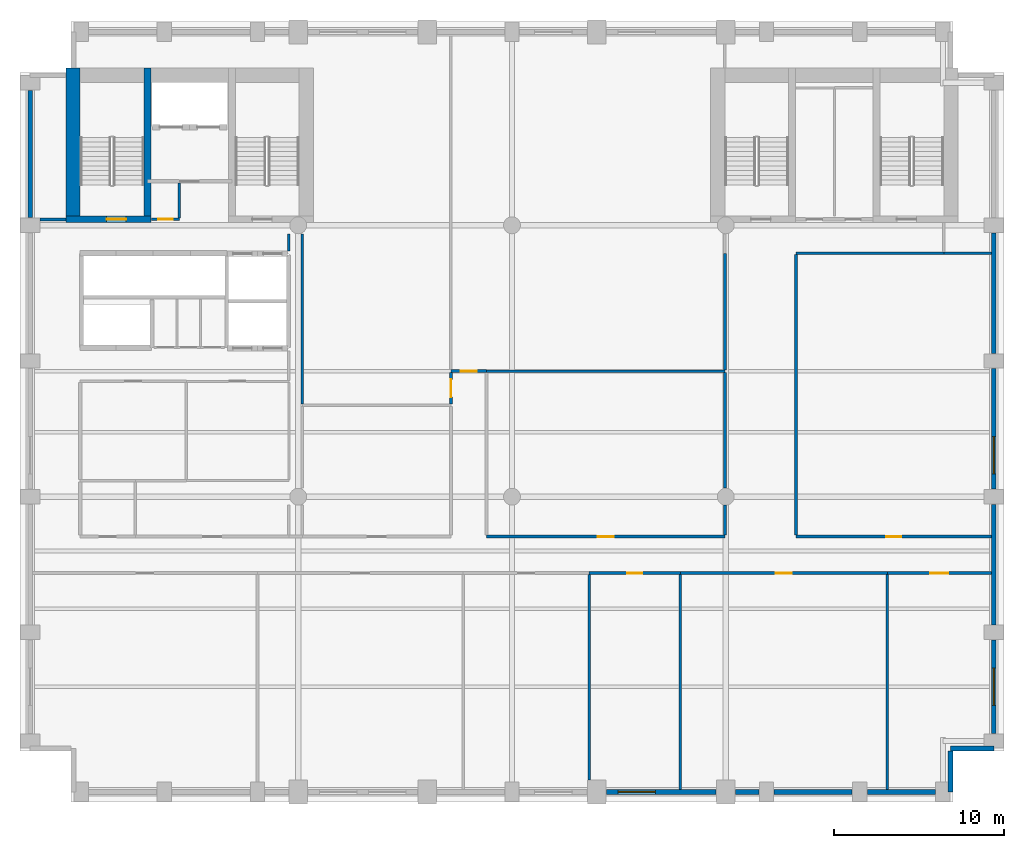
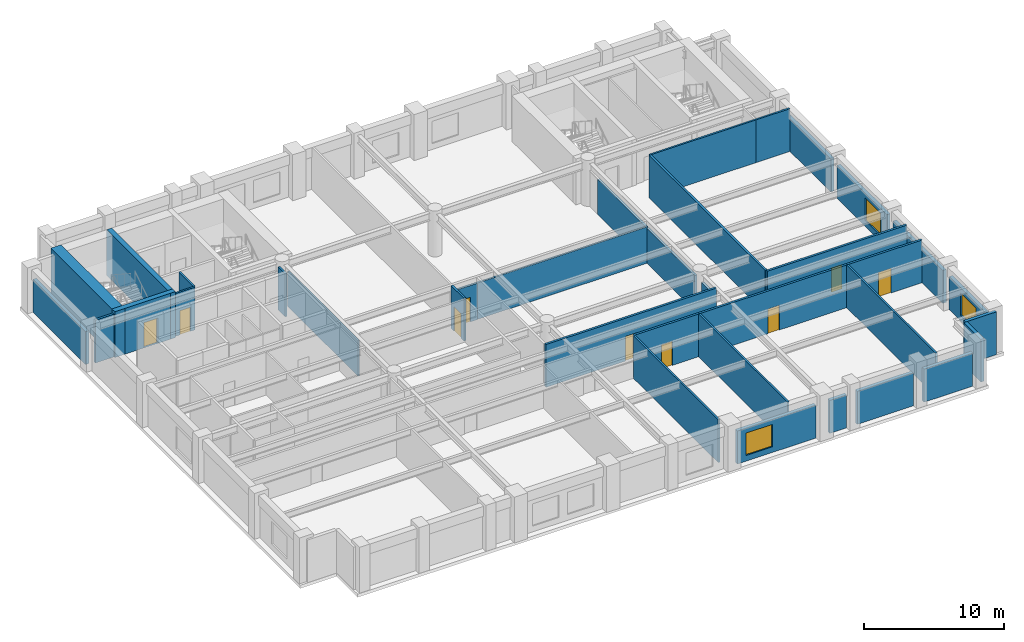
# One storey, part 4 of 8: 36 walls, 9 doors, 3 windows, 12 openings.
"""IFC4 building model written with IfcOpenShell, lengths in metres."""

from ifc_helpers import new_model, si_unit, direction, frame, frame_2d, origin, place, context, subcontext, project, spatial, rectangle, extrude, material, layer, layer_set, type_object, element, fill, save


model = new_model("IFC4")

# Units and contexts
model_context = context("Model", 3, precision=1e-05, world=origin(), true_north=direction((0.0, 1.0)))
body_context = subcontext(model_context, "Body", "Model", "MODEL_VIEW")
ifc_project = project(units=[si_unit("LENGTHUNIT", "METRE"), si_unit("AREAUNIT", "SQUARE_METRE"), si_unit("VOLUMEUNIT", "CUBIC_METRE"), si_unit("PLANEANGLEUNIT", "RADIAN"), si_unit("MASSUNIT", "GRAM", prefix="KILO")], contexts=[model_context])

# Site, building, storey
site_placement = place(None, origin())
site = spatial("IfcSite", under=ifc_project, at=site_placement, CompositionType="ELEMENT")
building_placement = place(site_placement, origin())
building = spatial("IfcBuilding", under=site, at=building_placement, Name="Sulina Concourse Tower", CompositionType="ELEMENT")
storey_placement = place(building_placement, frame((0.0, 0.0, 116.60009765625)))
storey = spatial("IfcBuildingStorey", under=building, at=storey_placement, Name="L28", CompositionType="ELEMENT", Elevation=116.60009765625)

# Walls
ifc_material_1 = material(Name="Gypsum board on steel stud", Category="steel")
ifc_layer_1 = layer(ifc_material_1, 0.14990234375)
ifc_layer_set_1 = layer_set([ifc_layer_1], Name="Gypsum board on steel stud")
wall_type_1 = type_object("IfcWallType", Name="Inter-Tenancy Acoustic Partition 150mm", PredefinedType="PARTITIONING", material=ifc_layer_set_1)
wall_1_placement = place(storey_placement, frame((27.5, 25.39990234375, 0.0), z_axis=(0.0, 0.0, 1.0), x_axis=(1.0, 0.0, 0.0)))
element("IfcWall", 1, at=wall_1_placement, inside=storey, type_object=wall_type_1, Name="L28 interior partition 020", PredefinedType="PARTITIONING", context=body_context, shape_type="SweptSolid", body=[
    extrude(rectangle(XDim=14.050048828125, YDim=0.14990234375, at=frame_2d((7.02490234375, 0.0))), origin(), (0.0, 0.0, 1.0), 3.169921875),
])
wall_2_placement = place(storey_placement, frame((45.75, 32.35009765625, 0.0), z_axis=(0.0, 0.0, 1.0), x_axis=(1.0, 0.0, 0.0)))
element("IfcWall", 2, at=wall_2_placement, inside=storey, type_object=wall_type_1, Name="L28 interior partition 024", PredefinedType="PARTITIONING", context=body_context, shape_type="SweptSolid", body=[
    extrude(rectangle(XDim=8.699951171875, YDim=0.14990234375, at=frame_2d((4.35009765625, 0.0))), origin(), (0.0, 0.0, 1.0), 3.724853515625),
])
wall_3_placement = place(storey_placement, frame((54.449951171875, 32.35009765625, 0.0), z_axis=(0.0, 0.0, 1.0), x_axis=(1.0, 0.0, 0.0)))
element("IfcWall", 3, at=wall_3_placement, inside=storey, type_object=wall_type_1, Name="L28 interior partition 025", PredefinedType="PARTITIONING", context=body_context, shape_type="SweptSolid", body=[
    extrude(rectangle(XDim=2.81005859375, YDim=0.14990234375, at=frame_2d((1.405029296875, 0.0))), origin(), (0.0, 0.0, 1.0), 3.724853515625),
])

# Wall, opening, door
wall_4_placement = place(storey_placement, frame((7.75, 34.35009765625, 0.0), z_axis=(0.0, 0.0, 1.0), x_axis=(1.0, 0.0, 0.0)))
wall_4 = element("IfcWall", 4, at=wall_4_placement, inside=storey, type_object=wall_type_1, Name="L28 interior partition 027", PredefinedType="PARTITIONING", context=body_context, shape_type="SweptSolid", body=[
    extrude(rectangle(XDim=1.64990234375, YDim=0.14990234375, at=frame_2d((0.824951171875, 0.0))), origin(), (0.0, 0.0, 1.0), 3.724853515625),
])
opening_1_placement = place(wall_4_placement, frame((0.385009765625, 0.0, 0.0)))
opening_1 = element("IfcOpeningElement", 5, at=opening_1_placement, cuts=wall_4, Name="Opening DR-38", PredefinedType="OPENING", context=body_context, shape_type="SweptSolid", body=[
    extrude(rectangle(XDim=0.8798828125, YDim=2.10009765625, at=frame_2d((0.43994140625, 1.050048828125))), frame((0.0, 0.0849609375, 0.0), z_axis=(0.0, -1.0, 0.0), x_axis=(1.0, 0.0, 0.0)), (0.0, 0.0, 1.0), 0.169921875),
])
ifc_material_2 = material(Name="Galvanised steel acoustic fire leaf", Category="steel")
ifc_layer_2 = layer(ifc_material_2, 0.050048828125)
ifc_layer_set_2 = layer_set([ifc_layer_2], Name="Galvanised steel acoustic fire leaf")
door_type_1 = type_object("IfcDoorType", Name="Service Riser Fire Door 880x2100", OperationType="NOTDEFINED", PredefinedType="DOOR", material=ifc_layer_set_2)
door_1_placement = place(opening_1_placement, origin())
door_1 = element("IfcDoor", 6, at=door_1_placement, inside=storey, type_object=door_type_1, Name="L28 interior door L28-CLN-N", OperationType="SINGLE_SWING_LEFT", OverallHeight=2.10009765625, OverallWidth=0.8798828125, PredefinedType="DOOR", context=body_context, shape_type="SweptSolid", body=[
    extrude(rectangle(XDim=0.8798828125, YDim=2.10009765625, at=frame_2d((0.43994140625, 1.050048828125))), frame((0.0, 0.02490234375, 0.0), z_axis=(0.0, -1.0, 0.0), x_axis=(1.0, 0.0, 0.0)), (0.0, 0.0, 1.0), 0.050048828125),
])
fill(opening_1, door_1)

# Walls
wall_5_placement = place(storey_placement, frame((9.39990234375, 34.425048828125, 0.0), z_axis=(0.0, 0.0, 1.0), x_axis=(0.0, 1.0, 0.0)))
element("IfcWall", 7, at=wall_5_placement, inside=storey, type_object=wall_type_1, Name="L28 interior partition 034", PredefinedType="PARTITIONING", context=body_context, shape_type="SweptSolid", body=[
    extrude(rectangle(XDim=2.06494140625, YDim=0.14990234375, at=frame_2d((1.032470703125, 0.0))), origin(), (0.0, 0.0, 1.0), 3.724853515625),
])
wall_6_placement = place(storey_placement, frame((15.85009765625, 32.469970703125, 0.0), z_axis=(0.0, 0.0, 1.0), x_axis=(0.0, 1.0, 0.0)))
element("IfcWall", 8, at=wall_6_placement, inside=storey, type_object=wall_type_1, Name="L28 interior partition 041", PredefinedType="PARTITIONING", context=body_context, shape_type="SweptSolid", body=[
    extrude(rectangle(XDim=1.030029296875, YDim=0.14990234375, at=frame_2d((0.51513671875, 0.0))), origin(), (0.0, 0.0, 1.0), 3.724853515625),
])
wall_7_placement = place(storey_placement, frame((16.64990234375, 23.47509765625, 0.0), z_axis=(0.0, 0.0, 1.0), x_axis=(0.0, 1.0, 0.0)))
element("IfcWall", 9, at=wall_7_placement, inside=storey, type_object=wall_type_1, Name="L28 interior partition 044", PredefinedType="PARTITIONING", context=body_context, shape_type="SweptSolid", body=[
    extrude(rectangle(XDim=10.02490234375, YDim=0.14990234375, at=frame_2d((5.012451171875, 0.0))), origin(), (0.0, 0.0, 1.0), 3.06982421875),
])
wall_8_placement = place(storey_placement, frame((33.5400390625, 1.300048828125, 0.0), z_axis=(0.0, 0.0, 1.0), x_axis=(0.0, 1.0, 0.0)))
element("IfcWall", 10, at=wall_8_placement, inside=storey, type_object=wall_type_1, Name="L28 interior partition 050", PredefinedType="PARTITIONING", context=body_context, shape_type="SweptSolid", body=[
    extrude(rectangle(XDim=12.10986328125, YDim=0.14990234375, at=frame_2d((6.054931640625, 0.0))), origin(), (0.0, 0.0, 1.0), 3.724853515625),
])
for number, where, z_axis, x_axis, name in (
    (11, (38.919921875, 0.739990234375, 0.0), (0.0, 0.0, 1.0), (0.0, 1.0, 0.0), "L28 interior partition 051"),
    (12, (51.1201171875, 0.739990234375, 0.0), (0.0, 0.0, 1.0), (0.0, 1.0, 0.0), "L28 interior partition 059"),
):
    element("IfcWall", number, at=place(storey_placement, frame(where, z_axis=z_axis, x_axis=x_axis)), inside=storey, type_object=wall_type_1, Name=name, PredefinedType="PARTITIONING", context=body_context, shape_type="SweptSolid", body=[
        extrude(rectangle(XDim=12.669921875, YDim=0.14990234375, at=frame_2d((6.3349609375, 0.0))), origin(), (0.0, 0.0, 1.0), 3.724853515625),
    ])

# Wall, opening, door
ifc_material_3 = material(Name="Gypsum board on steel stud", Category="steel")
ifc_layer_3 = layer(ifc_material_3, 0.179931640625)
ifc_layer_set_3 = layer_set([ifc_layer_3], Name="Gypsum board on steel stud")
wall_type_2 = type_object("IfcWallType", Name="Protected Corridor & Riser Partition 180mm", PredefinedType="PARTITIONING", material=ifc_layer_set_3)
wall_9_placement = place(storey_placement, frame((33.5400390625, 13.5, 0.0), z_axis=(0.0, 0.0, 1.0), x_axis=(1.0, 0.0, 0.0)))
wall_9 = element("IfcWall", 13, at=wall_9_placement, inside=storey, type_object=wall_type_2, Name="L28 interior partition 004", PredefinedType="PARTITIONING", context=body_context, shape_type="SweptSolid", body=[
    extrude(rectangle(XDim=5.3798828125, YDim=0.179931640625, at=frame_2d((2.68994140625, 0.0))), origin(), (0.0, 0.0, 1.0), 3.724853515625),
])
opening_2_placement = place(wall_9_placement, frame((2.25, 0.0, 0.0)))
opening_2 = element("IfcOpeningElement", 14, at=opening_2_placement, cuts=wall_9, Name="Opening DR-38", PredefinedType="OPENING", context=body_context, shape_type="SweptSolid", body=[
    extrude(rectangle(XDim=0.8798828125, YDim=2.10009765625, at=frame_2d((0.43994140625, 1.050048828125))), frame((0.0, 0.099853515625, 0.0), z_axis=(0.0, -1.0, 0.0), x_axis=(1.0, 0.0, 0.0)), (0.0, 0.0, 1.0), 0.199951171875),
])
door_2_placement = place(opening_2_placement, origin())
door_2 = element("IfcDoor", 15, at=door_2_placement, inside=storey, type_object=door_type_1, Name="L28 interior door L28-S03B", OperationType="SINGLE_SWING_LEFT", OverallHeight=2.10009765625, OverallWidth=0.8798828125, PredefinedType="DOOR", context=body_context, shape_type="SweptSolid", body=[
    extrude(rectangle(XDim=0.8798828125, YDim=2.10009765625, at=frame_2d((0.43994140625, 1.050048828125))), frame((0.0, 0.02490234375, 0.0), z_axis=(0.0, -1.0, 0.0), x_axis=(1.0, 0.0, 0.0)), (0.0, 0.0, 1.0), 0.050048828125),
])
fill(opening_2, door_2)

wall_10_placement = place(storey_placement, frame((38.919921875, 13.5, 0.0), z_axis=(0.0, 0.0, 1.0), x_axis=(1.0, 0.0, 0.0)))
wall_10 = element("IfcWall", 16, at=wall_10_placement, inside=storey, type_object=wall_type_2, Name="L28 interior partition 005", PredefinedType="PARTITIONING", context=body_context, shape_type="SweptSolid", body=[
    extrude(rectangle(XDim=12.2001953125, YDim=0.179931640625, at=frame_2d((6.10009765625, 0.0))), origin(), (0.0, 0.0, 1.0), 3.724853515625),
])
opening_3_placement = place(wall_10_placement, frame((5.625, 0.0, 0.0)))
opening_3 = element("IfcOpeningElement", 17, at=opening_3_placement, cuts=wall_10, Name="Opening DR-19", PredefinedType="OPENING", context=body_context, shape_type="SweptSolid", body=[
    extrude(rectangle(XDim=0.949951171875, YDim=2.14990234375, at=frame_2d((0.47509765625, 1.074951171875))), frame((0.0, 0.099853515625, 0.0), z_axis=(0.0, -1.0, 0.0), x_axis=(1.0, 0.0, 0.0)), (0.0, 0.0, 1.0), 0.199951171875),
])
ifc_material_4 = material(Name="Oak-veneered acoustic timber leaf", Category="wood")
ifc_layer_4 = layer(ifc_material_4, 0.050048828125)
ifc_layer_set_4 = layer_set([ifc_layer_4], Name="Oak-veneered acoustic timber leaf")
door_type_2 = type_object("IfcDoorType", Name="Cellular Office & Meeting Door 950x2150", OperationType="NOTDEFINED", PredefinedType="DOOR", material=ifc_layer_set_4)
door_3_placement = place(opening_3_placement, origin())
door_3 = element("IfcDoor", 18, at=door_3_placement, inside=storey, type_object=door_type_2, Name="L28 interior door L28-S04", OperationType="SINGLE_SWING_RIGHT", OverallHeight=2.14990234375, OverallWidth=0.949951171875, PredefinedType="DOOR", context=body_context, shape_type="SweptSolid", body=[
    extrude(rectangle(XDim=0.949951171875, YDim=2.14990234375, at=frame_2d((0.47509765625, 1.074951171875))), frame((0.0, 0.02490234375, 0.0), z_axis=(0.0, -1.0, 0.0), x_axis=(1.0, 0.0, 0.0)), (0.0, 0.0, 1.0), 0.050048828125),
])
fill(opening_3, door_3)

wall_11_placement = place(storey_placement, frame((51.1201171875, 13.5, 0.0), z_axis=(0.0, 0.0, 1.0), x_axis=(1.0, 0.0, 0.0)))
wall_11 = element("IfcWall", 19, at=wall_11_placement, inside=storey, type_object=wall_type_2, Name="L28 interior partition 006", PredefinedType="PARTITIONING", context=body_context, shape_type="SweptSolid", body=[
    extrude(rectangle(XDim=6.139892578125, YDim=0.179931640625, at=frame_2d((3.06982421875, 0.0))), origin(), (0.0, 0.0, 1.0), 3.724853515625),
])
opening_4_placement = place(wall_11_placement, frame((2.544921875, 0.0, 0.0)))
opening_4 = element("IfcOpeningElement", 20, at=opening_4_placement, cuts=wall_11, Name="Opening DR-37", PredefinedType="OPENING", context=body_context, shape_type="SweptSolid", body=[
    extrude(rectangle(XDim=1.050048828125, YDim=2.14990234375, at=frame_2d((0.52490234375, 1.074951171875))), frame((0.0, 0.099853515625, 0.0), z_axis=(0.0, -1.0, 0.0), x_axis=(1.0, 0.0, 0.0)), (0.0, 0.0, 1.0), 0.199951171875),
])
ifc_material_5 = material(Name="Oak-veneered fire door leaf")
ifc_layer_5 = layer(ifc_material_5, 0.050048828125)
ifc_layer_set_5 = layer_set([ifc_layer_5], Name="Oak-veneered fire door leaf")
door_type_3 = type_object("IfcDoorType", Name="Tenant Suite Entrance Fire Door 1050x2150", OperationType="NOTDEFINED", PredefinedType="DOOR", material=ifc_layer_set_5)
door_4_placement = place(opening_4_placement, origin())
door_4 = element("IfcDoor", 21, at=door_4_placement, inside=storey, type_object=door_type_3, Name="L28 interior door L28-S05", OperationType="SINGLE_SWING_LEFT", OverallHeight=2.14990234375, OverallWidth=1.050048828125, PredefinedType="DOOR", context=body_context, shape_type="SweptSolid", body=[
    extrude(rectangle(XDim=1.050048828125, YDim=2.14990234375, at=frame_2d((0.52490234375, 1.074951171875))), frame((0.0, 0.02490234375, 0.0), z_axis=(0.0, -1.0, 0.0), x_axis=(1.0, 0.0, 0.0)), (0.0, 0.0, 1.0), 0.050048828125),
])
fill(opening_4, door_4)

wall_12_placement = place(storey_placement, frame((27.5, 15.64990234375, 0.0), z_axis=(0.0, 0.0, 1.0), x_axis=(1.0, 0.0, 0.0)))
wall_12 = element("IfcWall", 22, at=wall_12_placement, inside=storey, type_object=wall_type_2, Name="L28 interior partition 011", PredefinedType="PARTITIONING", context=body_context, shape_type="SweptSolid", body=[
    extrude(rectangle(XDim=14.050048828125, YDim=0.179931640625, at=frame_2d((7.02490234375, 0.0))), origin(), (0.0, 0.0, 1.0), 3.724853515625),
])
opening_5_placement = place(wall_12_placement, frame((6.550048828125, 0.0, 0.0)))
opening_5 = element("IfcOpeningElement", 23, at=opening_5_placement, cuts=wall_12, Name="Opening DR-19", PredefinedType="OPENING", context=body_context, shape_type="SweptSolid", body=[
    extrude(rectangle(XDim=0.949951171875, YDim=2.14990234375, at=frame_2d((0.47509765625, 1.074951171875))), frame((0.0, 0.099853515625, 0.0), z_axis=(0.0, -1.0, 0.0), x_axis=(1.0, 0.0, 0.0)), (0.0, 0.0, 1.0), 0.199951171875),
])
door_5_placement = place(opening_5_placement, origin())
door_5 = element("IfcDoor", 24, at=door_5_placement, inside=storey, type_object=door_type_2, Name="L28 interior door L28-NC3", OperationType="SINGLE_SWING_LEFT", OverallHeight=2.14990234375, OverallWidth=0.949951171875, PredefinedType="DOOR", context=body_context, shape_type="SweptSolid", body=[
    extrude(rectangle(XDim=0.949951171875, YDim=2.14990234375, at=frame_2d((0.47509765625, 1.074951171875))), frame((0.0, 0.02490234375, 0.0), z_axis=(0.0, -1.0, 0.0), x_axis=(1.0, 0.0, 0.0)), (0.0, 0.0, 1.0), 0.050048828125),
])
fill(opening_5, door_5)

wall_13_placement = place(storey_placement, frame((45.75, 15.64990234375, 0.0), z_axis=(0.0, 0.0, 1.0), x_axis=(1.0, 0.0, 0.0)))
wall_13 = element("IfcWall", 25, at=wall_13_placement, inside=storey, type_object=wall_type_2, Name="L28 interior partition 012", PredefinedType="PARTITIONING", context=body_context, shape_type="SweptSolid", body=[
    extrude(rectangle(XDim=11.510009765625, YDim=0.179931640625, at=frame_2d((5.7548828125, 0.0))), origin(), (0.0, 0.0, 1.0), 3.724853515625),
])
opening_6_placement = place(wall_13_placement, frame((5.31494140625, 0.0, 0.0)))
opening_6 = element("IfcOpeningElement", 26, at=opening_6_placement, cuts=wall_13, Name="Opening DR-38", PredefinedType="OPENING", context=body_context, shape_type="SweptSolid", body=[
    extrude(rectangle(XDim=0.8798828125, YDim=2.10009765625, at=frame_2d((0.43994140625, 1.050048828125))), frame((0.0, 0.099853515625, 0.0), z_axis=(0.0, -1.0, 0.0), x_axis=(1.0, 0.0, 0.0)), (0.0, 0.0, 1.0), 0.199951171875),
])
door_6_placement = place(opening_6_placement, origin())
door_6 = element("IfcDoor", 27, at=door_6_placement, inside=storey, type_object=door_type_1, Name="L28 interior door L28-NE1", OperationType="SINGLE_SWING_RIGHT", OverallHeight=2.10009765625, OverallWidth=0.8798828125, PredefinedType="DOOR", context=body_context, shape_type="SweptSolid", body=[
    extrude(rectangle(XDim=0.8798828125, YDim=2.10009765625, at=frame_2d((0.43994140625, 1.050048828125))), frame((0.0, 0.02490234375, 0.0), z_axis=(0.0, -1.0, 0.0), x_axis=(1.0, 0.0, 0.0)), (0.0, 0.0, 1.0), 0.050048828125),
])
fill(opening_6, door_6)

wall_14_placement = place(storey_placement, frame((25.39990234375, 25.39990234375, 0.0), z_axis=(0.0, 0.0, 1.0), x_axis=(1.0, 0.0, 0.0)))
wall_14 = element("IfcWall", 28, at=wall_14_placement, inside=storey, type_object=wall_type_2, Name="L28 interior partition 019", PredefinedType="PARTITIONING", context=body_context, shape_type="SweptSolid", body=[
    extrude(rectangle(XDim=2.10009765625, YDim=0.179931640625, at=frame_2d((1.050048828125, 0.0))), origin(), (0.0, 0.0, 1.0), 3.169921875),
])
opening_7_placement = place(wall_14_placement, frame((0.574951171875, 0.0, 0.0)))
opening_7 = element("IfcOpeningElement", 29, at=opening_7_placement, cuts=wall_14, Name="Opening DR-19", PredefinedType="OPENING", context=body_context, shape_type="SweptSolid", body=[
    extrude(rectangle(XDim=0.949951171875, YDim=2.14990234375, at=frame_2d((0.47509765625, 1.074951171875))), frame((0.0, 0.099853515625, 0.0), z_axis=(0.0, -1.0, 0.0), x_axis=(1.0, 0.0, 0.0)), (0.0, 0.0, 1.0), 0.199951171875),
])
door_7_placement = place(opening_7_placement, origin())
door_7 = element("IfcDoor", 30, at=door_7_placement, inside=storey, type_object=door_type_2, Name="L28 interior door L28-NC4", OperationType="SINGLE_SWING_LEFT", OverallHeight=2.14990234375, OverallWidth=0.949951171875, PredefinedType="DOOR", context=body_context, shape_type="SweptSolid", body=[
    extrude(rectangle(XDim=0.949951171875, YDim=2.14990234375, at=frame_2d((0.47509765625, 1.074951171875))), frame((0.0, 0.02490234375, 0.0), z_axis=(0.0, -1.0, 0.0), x_axis=(1.0, 0.0, 0.0)), (0.0, 0.0, 1.0), 0.050048828125),
])
fill(opening_7, door_7)

# Wall
wall_15_placement = place(storey_placement, frame((1.175048828125, 34.35009765625, 0.0), z_axis=(0.0, 0.0, 1.0), x_axis=(1.0, 0.0, 0.0)))
element("IfcWall", 31, at=wall_15_placement, inside=storey, type_object=wall_type_2, Name="L28 interior partition 026", PredefinedType="PARTITIONING", context=body_context, shape_type="SweptSolid", body=[
    extrude(rectangle(XDim=1.52490234375, YDim=0.179931640625, at=frame_2d((0.762451171875, 0.0))), origin(), (0.0, 0.0, 1.0), 3.724853515625),
])

# Wall, opening, door
wall_16_placement = place(storey_placement, frame((25.39990234375, 23.47509765625, 0.0), z_axis=(0.0, 0.0, 1.0), x_axis=(0.0, 1.0, 0.0)))
wall_16 = element("IfcWall", 32, at=wall_16_placement, inside=storey, type_object=wall_type_2, Name="L28 interior partition 046", PredefinedType="PARTITIONING", context=body_context, shape_type="SweptSolid", body=[
    extrude(rectangle(XDim=1.8349609375, YDim=0.179931640625, at=frame_2d((0.91748046875, 0.0))), origin(), (0.0, 0.0, 1.0), 3.724853515625),
])
opening_8_placement = place(wall_16_placement, frame((0.392578125, 0.0, 0.0)))
opening_8 = element("IfcOpeningElement", 33, at=opening_8_placement, cuts=wall_16, Name="Opening DR-37", PredefinedType="OPENING", context=body_context, shape_type="SweptSolid", body=[
    extrude(rectangle(XDim=1.050048828125, YDim=2.14990234375, at=frame_2d((0.52490234375, 1.074951171875))), frame((0.0, 0.099853515625, 0.0), z_axis=(0.0, -1.0, 0.0), x_axis=(1.0, 0.0, 0.0)), (0.0, 0.0, 1.0), 0.199951171875),
])
door_8_placement = place(opening_8_placement, origin())
door_8 = element("IfcDoor", 34, at=door_8_placement, inside=storey, type_object=door_type_3, Name="L28 interior door L28-NC2", OperationType="SINGLE_SWING_RIGHT", OverallHeight=2.14990234375, OverallWidth=1.050048828125, PredefinedType="DOOR", context=body_context, shape_type="SweptSolid", body=[
    extrude(rectangle(XDim=1.050048828125, YDim=2.14990234375, at=frame_2d((0.52490234375, 1.074951171875))), frame((0.0, 0.02490234375, 0.0), z_axis=(0.0, -1.0, 0.0), x_axis=(1.0, 0.0, 0.0)), (0.0, 0.0, 1.0), 0.050048828125),
])
fill(opening_8, door_8)

# Walls
wall_17_placement = place(storey_placement, frame((41.550048828125, 15.739990234375, 0.0), z_axis=(0.0, 0.0, 1.0), x_axis=(0.0, 1.0, 0.0)))
element("IfcWall", 35, at=wall_17_placement, inside=storey, type_object=wall_type_2, Name="L28 interior partition 052", PredefinedType="PARTITIONING", context=body_context, shape_type="SweptSolid", body=[
    extrude(rectangle(XDim=1.760009765625, YDim=0.179931640625, at=frame_2d((0.8798828125, 0.0))), origin(), (0.0, 0.0, 1.0), 3.06982421875),
])
wall_18_placement = place(storey_placement, frame((41.550048828125, 18.5, 0.0), z_axis=(0.0, 0.0, 1.0), x_axis=(0.0, 1.0, 0.0)))
element("IfcWall", 36, at=wall_18_placement, inside=storey, type_object=wall_type_2, Name="L28 interior partition 053", PredefinedType="PARTITIONING", context=body_context, shape_type="SweptSolid", body=[
    extrude(rectangle(XDim=6.824951171875, YDim=0.179931640625, at=frame_2d((3.41259765625, 0.0))), origin(), (0.0, 0.0, 1.0), 3.06982421875),
])
wall_19_placement = place(storey_placement, frame((41.550048828125, 25.47509765625, 0.0), z_axis=(0.0, 0.0, 1.0), x_axis=(0.0, 1.0, 0.0)))
element("IfcWall", 37, at=wall_19_placement, inside=storey, type_object=wall_type_2, Name="L28 interior partition 054", PredefinedType="PARTITIONING", context=body_context, shape_type="SweptSolid", body=[
    extrude(rectangle(XDim=6.875, YDim=0.179931640625, at=frame_2d((3.4375, 0.0))), origin(), (0.0, 0.0, 1.0), 3.06982421875),
])
wall_20_placement = place(storey_placement, frame((45.75, 15.739990234375, 0.0), z_axis=(0.0, 0.0, 1.0), x_axis=(0.0, 1.0, 0.0)))
element("IfcWall", 38, at=wall_20_placement, inside=storey, type_object=wall_type_2, Name="L28 interior partition 057", PredefinedType="PARTITIONING", context=body_context, shape_type="SweptSolid", body=[
    extrude(rectangle(XDim=16.534912109375, YDim=0.179931640625, at=frame_2d((8.267578125, 0.0))), origin(), (0.0, 0.0, 1.0), 3.724853515625),
])

# Wall, opening, door
ifc_material_6 = material(Name="Concrete C60/75", Category="concrete")
ifc_layer_6 = layer(ifc_material_6, 0.39990234375)
ifc_layer_set_6 = layer_set([ifc_layer_6], Name="Concrete C60/75")
wall_type_3 = type_object("IfcWallType", Name="Protected Stair Core Shear Wall 400mm", PredefinedType="SHEAR", material=ifc_layer_set_6)
wall_21_placement = place(storey_placement, frame((2.699951171875, 34.35009765625, 0.0), z_axis=(0.0, 0.0, 1.0), x_axis=(1.0, 0.0, 0.0)))
wall_21 = element("IfcWall", 39, at=wall_21_placement, inside=storey, type_object=wall_type_3, Name="L28 west core shear wall CW-WS1", PredefinedType="SHEAR", context=body_context, shape_type="SweptSolid", body=[
    extrude(rectangle(XDim=5.010009765625, YDim=0.39990234375, at=frame_2d((2.5048828125, 0.0))), origin(), (0.0, 0.0, 1.0), 4.0),
])
opening_9_placement = place(wall_21_placement, frame((2.39990234375, 0.0, 0.0)))
opening_9 = element("IfcOpeningElement", 40, at=opening_9_placement, cuts=wall_21, Name="Opening DR-60", PredefinedType="OPENING", context=body_context, shape_type="SweptSolid", body=[
    extrude(rectangle(XDim=1.14990234375, YDim=2.199951171875, at=frame_2d((0.574951171875, 1.10009765625))), frame((0.0, 0.2099609375, 0.0), z_axis=(0.0, -1.0, 0.0), x_axis=(1.0, 0.0, 0.0)), (0.0, 0.0, 1.0), 0.419921875),
])
ifc_material_7 = material(Name="Galvanised steel acoustic fire leaf", Category="steel")
ifc_layer_7 = layer(ifc_material_7, 0.054931640625)
ifc_layer_set_7 = layer_set([ifc_layer_7], Name="Galvanised steel acoustic fire leaf")
door_type_4 = type_object("IfcDoorType", Name="Protected Exit Stair Fire Door 1150x2200", OperationType="NOTDEFINED", PredefinedType="DOOR", material=ifc_layer_set_7)
door_9_placement = place(opening_9_placement, origin())
door_9 = element("IfcDoor", 41, at=door_9_placement, inside=storey, type_object=door_type_4, Name="L28 stair ST-1 lobby fire door", OperationType="SINGLE_SWING_LEFT", OverallHeight=2.199951171875, OverallWidth=1.14990234375, PredefinedType="DOOR", context=body_context, shape_type="SweptSolid", body=[
    extrude(rectangle(XDim=1.14990234375, YDim=2.199951171875, at=frame_2d((0.574951171875, 1.10009765625))), frame((0.0, 0.02490234375, 0.0), z_axis=(0.0, -1.0, 0.0), x_axis=(1.0, 0.0, 0.0)), (0.0, 0.0, 1.0), 0.050048828125),
])
fill(opening_9, door_9)

# Walls
wall_22_placement = place(storey_placement, frame((7.510009765625, 34.14990234375, 0.0), z_axis=(0.0, 0.0, 1.0), x_axis=(0.0, 1.0, 0.0)))
element("IfcWall", 42, at=wall_22_placement, inside=storey, type_object=wall_type_3, Name="L28 west core shear wall SW-ST1", PredefinedType="SHEAR", context=body_context, shape_type="SweptSolid", body=[
    extrude(rectangle(XDim=9.130126953125, YDim=0.39990234375, at=frame_2d((4.56494140625, 0.0))), origin(), (0.0, 0.0, 1.0), 4.0),
])
ifc_material_8 = material(Name="Concrete C60/75", Category="concrete")
ifc_layer_8 = layer(ifc_material_8, 0.85009765625)
ifc_layer_set_8 = layer_set([ifc_layer_8], Name="Concrete C60/75")
wall_type_4 = type_object("IfcWallType", Name="Rear Core Shear Wall 850mm", PredefinedType="SHEAR", material=ifc_layer_set_8)
wall_23_placement = place(storey_placement, frame((3.125, 34.14990234375, 0.0), z_axis=(0.0, 0.0, 1.0), x_axis=(0.0, 1.0, 0.0)))
element("IfcWall", 43, at=wall_23_placement, inside=storey, type_object=wall_type_4, Name="L28 west core shear wall CW-WW", PredefinedType="SHEAR", context=body_context, shape_type="SweptSolid", body=[
    extrude(rectangle(XDim=9.130126953125, YDim=0.85009765625, at=frame_2d((4.56494140625, 0.0))), origin(), (0.0, 0.0, 1.0), 4.0),
])

# Wall, opening, window
ifc_material_9 = material(Name="Precast concrete C50/60", Category="concrete")
ifc_layer_9 = layer(ifc_material_9, 0.280029296875)
ifc_layer_set_9 = layer_set([ifc_layer_9], Name="Precast concrete C50/60")
wall_type_5 = type_object("IfcWallType", Name="Typical Precast Masonry-Frame Facade Wall 280mm", PredefinedType="SOLIDWALL", material=ifc_layer_set_9)
wall_24_placement = place(storey_placement, frame((41.030029296875, 0.60009765625, 0.0), z_axis=(0.0, 0.0, 1.0), x_axis=(-1.0, 0.0, 0.0)))
wall_24 = element("IfcWall", 44, at=wall_24_placement, inside=storey, type_object=wall_type_5, Name="L28 exterior precast wall S7", PredefinedType="SOLIDWALL", context=body_context, shape_type="SweptSolid", body=[
    extrude(rectangle(XDim=6.4599609375, YDim=0.280029296875, at=frame_2d((3.22998046875, 0.0))), origin(), (0.0, 0.0, 1.0), 2.875),
])
opening_10_placement = place(wall_24_placement, frame((3.5732421875, 0.0, 0.5)))
opening_10 = element("IfcOpeningElement", 45, at=opening_10_placement, cuts=wall_24, Name="Opening WN-76", PredefinedType="OPENING", context=body_context, shape_type="SweptSolid", body=[
    extrude(rectangle(XDim=2.199951171875, YDim=1.949951171875, at=frame_2d((1.10009765625, 0.97509765625))), frame((0.0, 0.14990234375, 0.0), z_axis=(0.0, -1.0, 0.0), x_axis=(1.0, 0.0, 0.0)), (0.0, 0.0, 1.0), 0.300048828125),
])
ifc_material_10 = material(Name="Low-E solar double glazing in bronze aluminium", Category="aluminium")
window_type = type_object("IfcWindowType", Name="Recessed Spandrel Window 2200x1950", PartitioningType="DOUBLE_PANEL_VERTICAL", PredefinedType="WINDOW", material=ifc_material_10)
window_1_placement = place(opening_10_placement, origin())
window_1 = element("IfcWindow", 46, at=window_1_placement, inside=storey, type_object=window_type, Name="L28 punched window S7-1", OverallHeight=1.949951171875, OverallWidth=2.199951171875, PartitioningType="SINGLE_PANEL", PredefinedType="WINDOW", context=body_context, shape_type="SweptSolid", body=[
    extrude(rectangle(XDim=2.199951171875, YDim=1.949951171875, at=frame_2d((1.10009765625, 0.97509765625))), frame((0.0, 0.030029296875, 0.0), z_axis=(0.0, -1.0, 0.0), x_axis=(1.0, 0.0, 0.0)), (0.0, 0.0, 1.0), 0.06005859375),
])
fill(opening_10, window_1)

# Walls
wall_25_placement = place(storey_placement, frame((43.554931640625, 0.60009765625, 0.0), z_axis=(0.0, 0.0, 1.0), x_axis=(-1.0, 0.0, 0.0)))
element("IfcWall", 47, at=wall_25_placement, inside=storey, type_object=wall_type_5, Name="L28 exterior precast wall S8", PredefinedType="SOLIDWALL", context=body_context, shape_type="SweptSolid", body=[
    extrude(rectangle(XDim=1.385009765625, YDim=0.280029296875, at=frame_2d((0.6923828125, 0.0))), origin(), (0.0, 0.0, 1.0), 2.875),
])
wall_26_placement = place(storey_placement, frame((49.054931640625, 0.60009765625, 0.0), z_axis=(0.0, 0.0, 1.0), x_axis=(-1.0, 0.0, 0.0)))
element("IfcWall", 48, at=wall_26_placement, inside=storey, type_object=wall_type_5, Name="L28 exterior precast wall S9", PredefinedType="SOLIDWALL", context=body_context, shape_type="SweptSolid", body=[
    extrude(rectangle(XDim=4.60986328125, YDim=0.280029296875, at=frame_2d((2.304931640625, 0.0))), origin(), (0.0, 0.0, 1.0), 2.875),
])
wall_27_placement = place(storey_placement, frame((53.955078125, 0.60009765625, 0.0), z_axis=(0.0, 0.0, 1.0), x_axis=(-1.0, 0.0, 0.0)))
element("IfcWall", 49, at=wall_27_placement, inside=storey, type_object=wall_type_5, Name="L28 exterior precast wall S10", PredefinedType="SOLIDWALL", context=body_context, shape_type="SweptSolid", body=[
    extrude(rectangle(XDim=4.010009765625, YDim=0.280029296875, at=frame_2d((2.0048828125, 0.0))), origin(), (0.0, 0.0, 1.0), 2.875),
])
wall_28_placement = place(storey_placement, frame((0.60009765625, 34.445068359375, 0.0), z_axis=(0.0, 0.0, 1.0), x_axis=(0.0, 1.0, 0.0)))
element("IfcWall", 50, at=wall_28_placement, inside=storey, type_object=wall_type_5, Name="L28 exterior precast wall W5", PredefinedType="SOLIDWALL", context=body_context, shape_type="SweptSolid", body=[
    extrude(rectangle(XDim=7.510009765625, YDim=0.280029296875, at=frame_2d((3.7548828125, 0.0))), origin(), (0.0, 0.0, 1.0), 2.875),
])

# Wall, opening, window
wall_29_placement = place(storey_placement, frame((57.39990234375, 9.554931640625, 0.0), z_axis=(0.0, 0.0, 1.0), x_axis=(0.0, -1.0, 0.0)))
wall_29 = element("IfcWall", 51, at=wall_29_placement, inside=storey, type_object=wall_type_5, Name="L28 exterior precast wall E1", PredefinedType="SOLIDWALL", context=body_context, shape_type="SweptSolid", body=[
    extrude(rectangle(XDim=5.510009765625, YDim=0.280029296875, at=frame_2d((2.7548828125, 0.0))), origin(), (0.0, 0.0, 1.0), 2.875),
])
opening_11_placement = place(wall_29_placement, frame((1.655029296875, 0.0, 0.5)))
opening_11 = element("IfcOpeningElement", 52, at=opening_11_placement, cuts=wall_29, Name="Opening WN-76", PredefinedType="OPENING", context=body_context, shape_type="SweptSolid", body=[
    extrude(rectangle(XDim=2.199951171875, YDim=1.949951171875, at=frame_2d((1.10009765625, 0.97509765625))), frame((0.0, 0.14990234375, 0.0), z_axis=(0.0, -1.0, 0.0), x_axis=(1.0, 0.0, 0.0)), (0.0, 0.0, 1.0), 0.300048828125),
])
window_2_placement = place(opening_11_placement, origin())
window_2 = element("IfcWindow", 53, at=window_2_placement, inside=storey, type_object=window_type, Name="L28 punched window E1-1", OverallHeight=1.949951171875, OverallWidth=2.199951171875, PartitioningType="SINGLE_PANEL", PredefinedType="WINDOW", context=body_context, shape_type="SweptSolid", body=[
    extrude(rectangle(XDim=2.199951171875, YDim=1.949951171875, at=frame_2d((1.10009765625, 0.97509765625))), frame((0.0, 0.030029296875, 0.0), z_axis=(0.0, -1.0, 0.0), x_axis=(1.0, 0.0, 0.0)), (0.0, 0.0, 1.0), 0.06005859375),
])
fill(opening_11, window_2)

# Wall
wall_30_placement = place(storey_placement, frame((57.39990234375, 17.554931640625, 0.0), z_axis=(0.0, 0.0, 1.0), x_axis=(0.0, -1.0, 0.0)))
element("IfcWall", 54, at=wall_30_placement, inside=storey, type_object=wall_type_5, Name="L28 exterior precast wall E2", PredefinedType="SOLIDWALL", context=body_context, shape_type="SweptSolid", body=[
    extrude(rectangle(XDim=7.10986328125, YDim=0.280029296875, at=frame_2d((3.554931640625, 0.0))), origin(), (0.0, 0.0, 1.0), 2.875),
])

# Wall, opening, window
wall_31_placement = place(storey_placement, frame((57.39990234375, 25.554931640625, 0.0), z_axis=(0.0, 0.0, 1.0), x_axis=(0.0, -1.0, 0.0)))
wall_31 = element("IfcWall", 55, at=wall_31_placement, inside=storey, type_object=wall_type_5, Name="L28 exterior precast wall E3", PredefinedType="SOLIDWALL", context=body_context, shape_type="SweptSolid", body=[
    extrude(rectangle(XDim=7.10986328125, YDim=0.280029296875, at=frame_2d((3.554931640625, 0.0))), origin(), (0.0, 0.0, 1.0), 2.875),
])
opening_12_placement = place(wall_31_placement, frame((4.006591796875, 0.0, 0.5)))
opening_12 = element("IfcOpeningElement", 56, at=opening_12_placement, cuts=wall_31, Name="Opening WN-76", PredefinedType="OPENING", context=body_context, shape_type="SweptSolid", body=[
    extrude(rectangle(XDim=2.199951171875, YDim=1.949951171875, at=frame_2d((1.10009765625, 0.97509765625))), frame((0.0, 0.14990234375, 0.0), z_axis=(0.0, -1.0, 0.0), x_axis=(1.0, 0.0, 0.0)), (0.0, 0.0, 1.0), 0.300048828125),
])
window_3_placement = place(opening_12_placement, origin())
window_3 = element("IfcWindow", 57, at=window_3_placement, inside=storey, type_object=window_type, Name="L28 punched window E3-1", OverallHeight=1.949951171875, OverallWidth=2.199951171875, PartitioningType="SINGLE_PANEL", PredefinedType="WINDOW", context=body_context, shape_type="SweptSolid", body=[
    extrude(rectangle(XDim=2.199951171875, YDim=1.949951171875, at=frame_2d((1.10009765625, 0.97509765625))), frame((0.0, 0.030029296875, 0.0), z_axis=(0.0, -1.0, 0.0), x_axis=(1.0, 0.0, 0.0)), (0.0, 0.0, 1.0), 0.06005859375),
])
fill(opening_12, window_3)

# Walls
wall_32_placement = place(storey_placement, frame((57.39990234375, 33.554931640625, 0.0), z_axis=(0.0, 0.0, 1.0), x_axis=(0.0, -1.0, 0.0)))
element("IfcWall", 58, at=wall_32_placement, inside=storey, type_object=wall_type_5, Name="L28 exterior precast wall E4", PredefinedType="SOLIDWALL", context=body_context, shape_type="SweptSolid", body=[
    extrude(rectangle(XDim=7.10986328125, YDim=0.280029296875, at=frame_2d((3.554931640625, 0.0))), origin(), (0.0, 0.0, 1.0), 2.875),
])
wall_33_placement = place(storey_placement, frame((57.39990234375, 3.155029296875, 0.0), z_axis=(0.0, 0.0, 1.0), x_axis=(-1.0, 0.0, 0.0)))
element("IfcWall", 59, at=wall_33_placement, inside=storey, type_object=wall_type_5, Name="L28 exterior precast wall CSE1", PredefinedType="SOLIDWALL", context=body_context, shape_type="SweptSolid", body=[
    extrude(rectangle(XDim=2.554931640625, YDim=0.280029296875, at=frame_2d((1.27734375, 0.0))), origin(), (0.0, 0.0, 1.0), 3.724853515625),
])
wall_34_placement = place(storey_placement, frame((54.844970703125, 3.010009765625, 0.0), z_axis=(0.0, 0.0, 1.0), x_axis=(0.0, -1.0, 0.0)))
element("IfcWall", 60, at=wall_34_placement, inside=storey, type_object=wall_type_5, Name="L28 exterior precast wall CSE2", PredefinedType="SOLIDWALL", context=body_context, shape_type="SweptSolid", body=[
    extrude(rectangle(XDim=2.409912109375, YDim=0.280029296875, at=frame_2d((1.205078125, 0.0))), origin(), (0.0, 0.0, 1.0), 3.724853515625),
])

save(model, "model.ifc")
